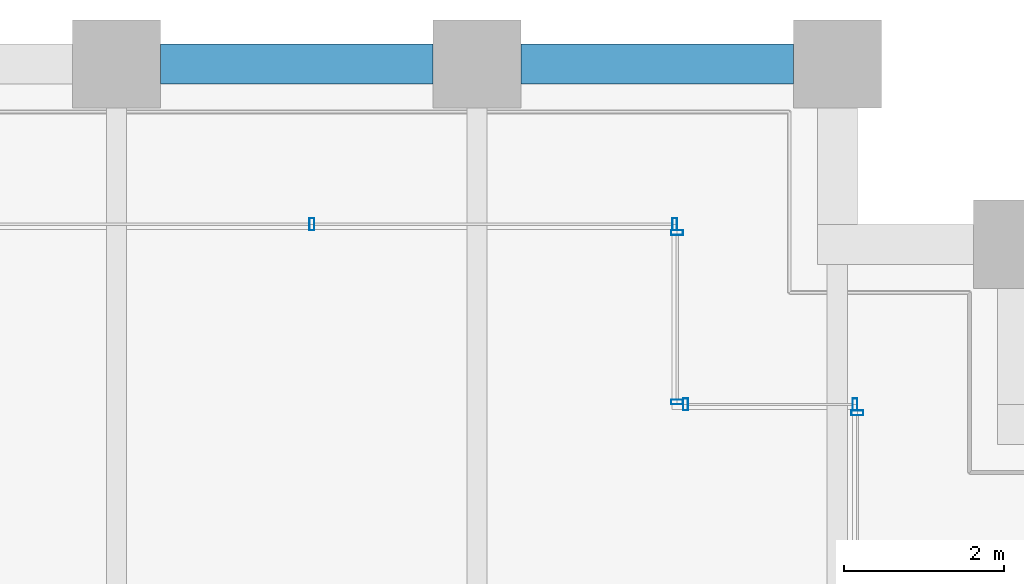
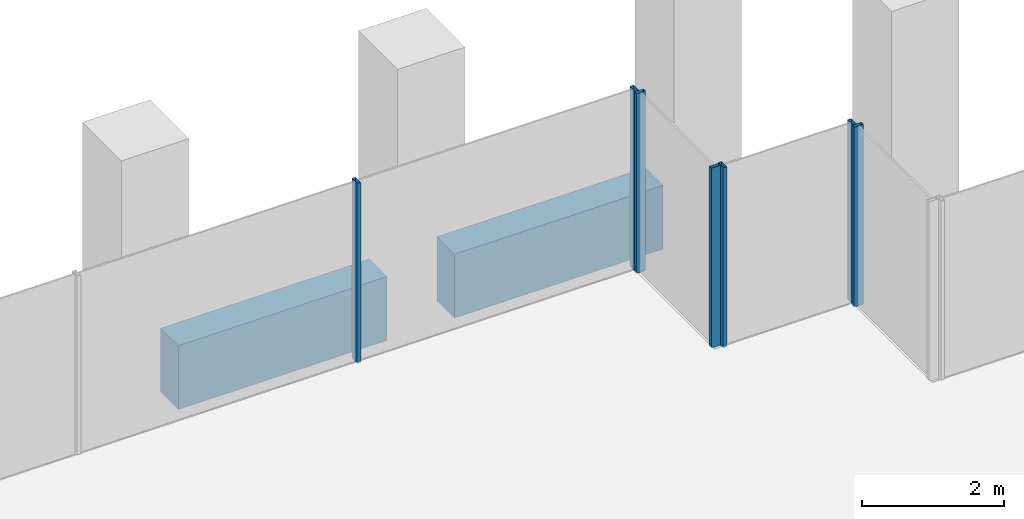
# One storey, part 32 of 56: 7 members, 2 beams, 4 elements without a shape of their own.
"""IFC4 building model written with IfcOpenShell, lengths in metres."""

from ifc_helpers import new_model, si_unit, direction, frame, origin, origin_2d, place, context, subcontext, project, spatial, rectangle, hollow_rectangle, extrude, material, material_profile, profile_set, type_object, element, aggregate, save


model = new_model("IFC4")

# Units and contexts
model_context = context("Model", 3, precision=1e-05, world=origin(), true_north=direction((0.0, 1.0)))
body_context = subcontext(model_context, "Body", "Model", "MODEL_VIEW")
ifc_project = project(units=[si_unit("LENGTHUNIT", "METRE"), si_unit("AREAUNIT", "SQUARE_METRE"), si_unit("VOLUMEUNIT", "CUBIC_METRE"), si_unit("PLANEANGLEUNIT", "RADIAN"), si_unit("MASSUNIT", "GRAM", prefix="KILO")], contexts=[model_context])

# Site, building, storey
site_placement = place(None, origin())
site = spatial("IfcSite", under=ifc_project, at=site_placement, CompositionType="ELEMENT")
building_placement = place(site_placement, origin())
building = spatial("IfcBuilding", under=site, at=building_placement, Name="Altepetl Exchange Towers", CompositionType="ELEMENT")
storey_placement = place(building_placement, frame((0.0, 0.0, 83.39990234375)))
storey = spatial("IfcBuildingStorey", under=building, at=storey_placement, Name="L20", CompositionType="ELEMENT", Elevation=83.39990234375)

# Curtain wall, member
ifc_material_1 = material(Name="Aluminium 6063-T6 glazing", Category="aluminium")
curtain_wall_type = type_object("IfcCurtainWallType", Name="Loggia glazing system", PredefinedType="NOTDEFINED", material=ifc_material_1)
curtain_wall_1_placement = place(storey_placement, origin())
curtain_wall_1 = element("IfcCurtainWall", 1, at=curtain_wall_1_placement, inside=storey, type_object=curtain_wall_type, Name="CW1 run", PredefinedType="NOTDEFINED")
ifc_material_2 = material(Name="Aluminium 6063-T6", Category="aluminium")
ifc_material_profile_1 = material_profile(ifc_material_2, hollow_rectangle(XDim=0.06005859375, YDim=0.14990234375, WallThickness=0.0029296875, at=origin_2d()), Name="Mullion 60x150 aluminium")
ifc_profile_set_1 = profile_set([ifc_material_profile_1], Name="Aluminium 6063-T6")
member_type = type_object("IfcMemberType", Name="Mullion 60x150 aluminium", PredefinedType="MULLION", material=ifc_profile_set_1)
member_1_placement = place(storey_placement, frame((67.75, 67.64501953125, 0.0), z_axis=(0.0, 0.0, 1.0), x_axis=(0.0, 1.0, 0.0)))
member_1 = element("IfcMember", 2, at=member_1_placement, type_object=member_type, Name="MU1 mullion", PredefinedType="MULLION", context=body_context, shape_type="SweptSolid", body=[
    extrude(hollow_rectangle(XDim=0.06005859375, YDim=0.14990234375, WallThickness=0.0029296875, at=origin_2d()), origin(), (0.0, 0.0, 1.0), 3.10009765625),
])
aggregate(curtain_wall_1, [member_1])

# Curtain wall, members
curtain_wall_2_placement = place(storey_placement, origin())
curtain_wall_2 = element("IfcCurtainWall", 3, at=curtain_wall_2_placement, inside=storey, type_object=curtain_wall_type, Name="CW1 run", PredefinedType="NOTDEFINED")
member_2_placement = place(storey_placement, frame((67.719970703125, 67.75, 0.0), z_axis=(0.0, 0.0, 1.0), x_axis=(-1.0, 0.0, 0.0)))
member_2 = element("IfcMember", 4, at=member_2_placement, type_object=member_type, Name="MU1 mullion", PredefinedType="MULLION", context=body_context, shape_type="SweptSolid", body=[
    extrude(hollow_rectangle(XDim=0.06005859375, YDim=0.14990234375, WallThickness=0.0029296875, at=origin_2d()), origin(), (0.0, 0.0, 1.0), 3.10009765625),
])
member_3_placement = place(storey_placement, frame((65.60498046875, 67.75, 0.0), z_axis=(0.0, 0.0, 1.0), x_axis=(-1.0, 0.0, 0.0)))
member_3 = element("IfcMember", 5, at=member_3_placement, type_object=member_type, Name="MU1 mullion", PredefinedType="MULLION", context=body_context, shape_type="SweptSolid", body=[
    extrude(hollow_rectangle(XDim=0.06005859375, YDim=0.14990234375, WallThickness=0.0029296875, at=origin_2d()), origin(), (0.0, 0.0, 1.0), 3.10009765625),
])
aggregate(curtain_wall_2, [member_2, member_3])

curtain_wall_3_placement = place(storey_placement, origin())
curtain_wall_3 = element("IfcCurtainWall", 6, at=curtain_wall_3_placement, inside=storey, type_object=curtain_wall_type, Name="CW1 run", PredefinedType="NOTDEFINED")
member_4_placement = place(storey_placement, frame((65.5, 67.780029296875, 0.0), z_axis=(0.0, 0.0, 1.0), x_axis=(0.0, 1.0, 0.0)))
member_4 = element("IfcMember", 7, at=member_4_placement, type_object=member_type, Name="MU1 mullion", PredefinedType="MULLION", context=body_context, shape_type="SweptSolid", body=[
    extrude(hollow_rectangle(XDim=0.06005859375, YDim=0.14990234375, WallThickness=0.0029296875, at=origin_2d()), origin(), (0.0, 0.0, 1.0), 3.10009765625),
])
member_5_placement = place(storey_placement, frame((65.5, 69.89501953125, 0.0), z_axis=(0.0, 0.0, 1.0), x_axis=(0.0, 1.0, 0.0)))
member_5 = element("IfcMember", 8, at=member_5_placement, type_object=member_type, Name="MU1 mullion", PredefinedType="MULLION", context=body_context, shape_type="SweptSolid", body=[
    extrude(hollow_rectangle(XDim=0.06005859375, YDim=0.14990234375, WallThickness=0.0029296875, at=origin_2d()), origin(), (0.0, 0.0, 1.0), 3.10009765625),
])
aggregate(curtain_wall_3, [member_4, member_5])

curtain_wall_4_placement = place(storey_placement, origin())
curtain_wall_4 = element("IfcCurtainWall", 9, at=curtain_wall_4_placement, inside=storey, type_object=curtain_wall_type, Name="CW1 run", PredefinedType="NOTDEFINED")
member_6_placement = place(storey_placement, frame((65.469970703125, 70.0, 0.0), z_axis=(0.0, 0.0, 1.0), x_axis=(-1.0, 0.0, 0.0)))
member_6 = element("IfcMember", 10, at=member_6_placement, type_object=member_type, Name="MU1 mullion", PredefinedType="MULLION", context=body_context, shape_type="SweptSolid", body=[
    extrude(hollow_rectangle(XDim=0.06005859375, YDim=0.14990234375, WallThickness=0.0029296875, at=origin_2d()), origin(), (0.0, 0.0, 1.0), 3.10009765625),
])
member_7_placement = place(storey_placement, frame((60.939208984375, 70.0, 0.0), z_axis=(0.0, 0.0, 1.0), x_axis=(-1.0, 0.0, 0.0)))
member_7 = element("IfcMember", 11, at=member_7_placement, type_object=member_type, Name="MU1 mullion", PredefinedType="MULLION", context=body_context, shape_type="SweptSolid", body=[
    extrude(hollow_rectangle(XDim=0.06005859375, YDim=0.14990234375, WallThickness=0.0029296875, at=origin_2d()), origin(), (0.0, 0.0, 1.0), 3.10009765625),
])
aggregate(curtain_wall_4, [member_6, member_7])

# Beams
ifc_material_3 = material(Name="Concrete C50/60 precast with cantera rosa facing", Category="concrete")
ifc_material_profile_2 = material_profile(ifc_material_3, rectangle(XDim=0.5, YDim=1.10009765625, at=origin_2d()), Name="500 x 1100")
ifc_profile_set_2 = profile_set([ifc_material_profile_2], Name="Concrete C50/60 precast with cantera rosa facing")
beam_type = type_object("IfcBeamType", Name="Spandrel beam 500x1100 cantera rosa", PredefinedType="SPANDREL", material=ifc_profile_set_2)
for number, where, z_axis, x_axis, name in (
    (12, (66.949951171875, 72.0, -0.699951171875), (-1.0, 0.0, 0.0), (0.0, -1.0, 0.0), "sp:A:L20:024"),
    (13, (62.449951171875, 72.0, -0.699951171875), (-1.0, 0.0, 0.0), (0.0, -1.0, 0.0), "sp:A:L20:025"),
):
    element("IfcBeam", number, at=place(storey_placement, frame(where, z_axis=z_axis, x_axis=x_axis)), inside=storey, type_object=beam_type, Name=name, PredefinedType="SPANDREL", context=body_context, shape_type="SweptSolid", body=[
        extrude(rectangle(XDim=0.5, YDim=1.10009765625, at=origin_2d()), origin(), (0.0, 0.0, 1.0), 3.39990234375),
    ])

save(model, "model.ifc")
